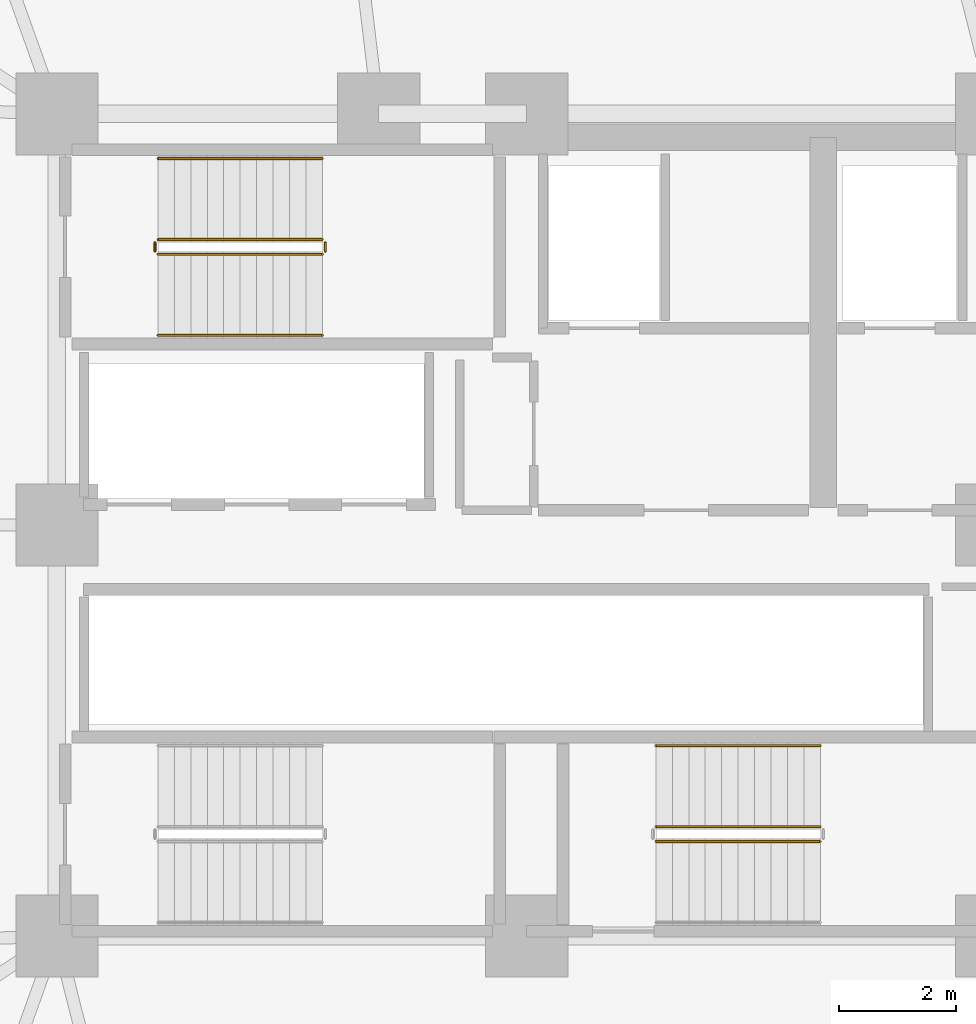
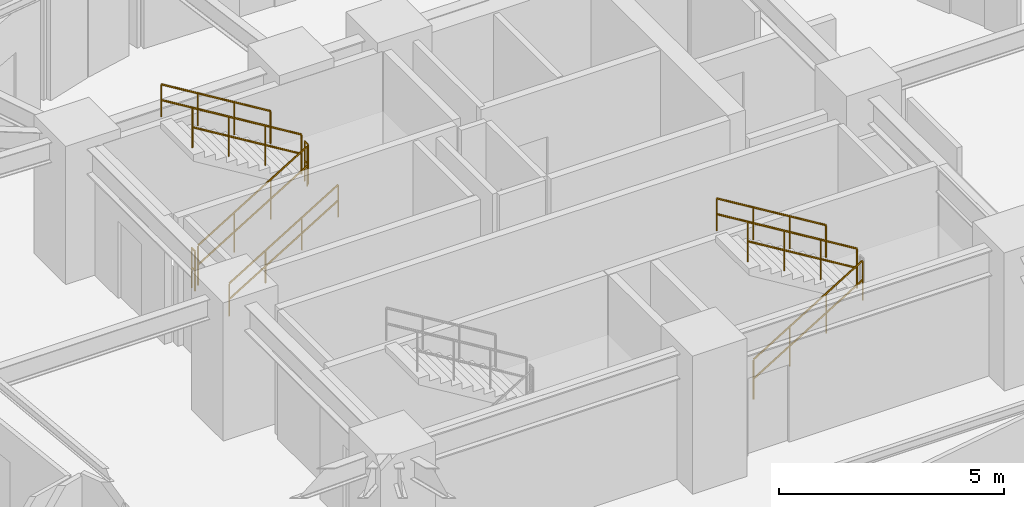
# One storey, part 34 of 36: 9 railings.
"""IFC4 building model written with IfcOpenShell, lengths in metres."""

from ifc_helpers import new_model, si_unit, direction, frame, origin, place, context, subcontext, project, spatial, polyline, outline, extrude, material, type_object, element, save


model = new_model("IFC4")

# Units and contexts
model_context = context("Model", 3, precision=1e-05, world=origin(), true_north=direction((0.0, 1.0)))
body_context = subcontext(model_context, "Body", "Model", "MODEL_VIEW")
ifc_project = project(units=[si_unit("LENGTHUNIT", "METRE"), si_unit("AREAUNIT", "SQUARE_METRE"), si_unit("VOLUMEUNIT", "CUBIC_METRE"), si_unit("PLANEANGLEUNIT", "RADIAN"), si_unit("MASSUNIT", "GRAM", prefix="KILO")], contexts=[model_context])

# Site, building, storey
site_placement = place(None, origin())
site = spatial("IfcSite", under=ifc_project, at=site_placement, CompositionType="ELEMENT")
building_placement = place(site_placement, origin())
building = spatial("IfcBuilding", under=site, at=building_placement, Name="Kelanora Arch Commons", CompositionType="ELEMENT")
storey_placement = place(building_placement, frame((0.0, 0.0, 98.85009765625)))
storey = spatial("IfcBuildingStorey", under=building, at=storey_placement, Name="L25", CompositionType="ELEMENT", Elevation=98.85009765625)

# Railings
ifc_material_1 = material(Name="Painted steel stair well guard", Category="steel")
railing_type_1 = type_object("IfcRailingType", Name="RAIL-STAIR-GRD", PredefinedType="GUARDRAIL", material=ifc_material_1)
railing_1_placement = place(storey_placement, frame((67.719970703125, 62.610107421875, 0.17041015625)))
element("IfcRailing", 1, at=railing_1_placement, inside=storey, type_object=railing_type_1, Name="L25 ST-T1 stair guard 1", PredefinedType="GUARDRAIL", context=body_context, shape_type="SweptSolid", body=[
    extrude(outline(polyline([(0.02392578125, 0.0), (0.011962890625, 0.020751953125), (-0.011962890625, 0.020751953125), (-0.02392578125, 0.0), (-0.011962890625, -0.020751953125), (0.011962890625, -0.020751953125), (0.02392578125, 0.0)])), frame((0.0, 0.0, 1.076171875), z_axis=(0.854169791009, 0.0, 0.51999420009), x_axis=(0.0, 1.0, 0.0)), (0.0, 0.0, 1.0), 3.278076171875),
    extrude(outline(polyline([(0.02392578125, 0.0), (0.011962890625, 0.020751953125), (-0.011962890625, 0.020751953125), (-0.02392578125, 0.0), (-0.011962890625, -0.020751953125), (0.011962890625, -0.020751953125), (0.02392578125, 0.0)])), frame((0.0, 0.0, 0.550048828125), z_axis=(0.854169791009, 0.0, 0.51999420009), x_axis=(0.0, 1.0, 0.0)), (0.0, 0.0, 1.0), 3.278076171875),
    extrude(outline(polyline([(0.02099609375, 0.0), (0.010498046875, 0.01806640625), (-0.010498046875, 0.01806640625), (-0.02099609375, 0.0), (-0.010498046875, -0.01806640625), (0.010498046875, -0.01806640625), (0.02099609375, 0.0)])), origin(), (0.0, 0.0, 1.0), 1.052001953125),
    extrude(outline(polyline([(0.02099609375, 0.0), (0.010498046875, 0.01806640625), (-0.010498046875, 0.01806640625), (-0.02099609375, 0.0), (-0.010498046875, -0.01806640625), (0.010498046875, -0.01806640625), (0.02099609375, 0.0)])), frame((0.933349609375, 0.0, 0.568115234375)), (0.0, 0.0, 1.0), 1.052001953125),
    extrude(outline(polyline([(0.02099609375, 0.0), (0.010498046875, 0.01806640625), (-0.010498046875, 0.01806640625), (-0.02099609375, 0.0), (-0.010498046875, -0.01806640625), (0.010498046875, -0.01806640625), (0.02099609375, 0.0)])), frame((1.86669921875, 0.0, 1.136474609375)), (0.0, 0.0, 1.0), 1.052001953125),
    extrude(outline(polyline([(0.02099609375, 0.0), (0.010498046875, 0.01806640625), (-0.010498046875, 0.01806640625), (-0.02099609375, 0.0), (-0.010498046875, -0.01806640625), (0.010498046875, -0.01806640625), (0.02099609375, 0.0)])), frame((2.800048828125, 0.0, 1.70458984375)), (0.0, 0.0, 1.0), 1.052001953125),
])
railing_2_placement = place(storey_placement, frame((70.570068359375, 62.659912109375, 1.875)))
element("IfcRailing", 2, at=railing_2_placement, inside=storey, type_object=railing_type_1, Name="L25 ST-T1 stair guard 2", PredefinedType="GUARDRAIL", context=body_context, shape_type="SweptSolid", body=[
    extrude(outline(polyline([(0.02392578125, 0.0), (0.011962890625, 0.020751953125), (-0.011962890625, 0.020751953125), (-0.02392578125, 0.0), (-0.011962890625, -0.020751953125), (0.011962890625, -0.020751953125), (0.02392578125, 0.0)])), frame((0.0, 0.0, 1.076171875), z_axis=(0.0, 1.0, 0.0), x_axis=(-1.0, 0.0, 0.0)), (0.0, 0.0, 1.0), 0.150146484375),
    extrude(outline(polyline([(0.02392578125, 0.0), (0.011962890625, 0.020751953125), (-0.011962890625, 0.020751953125), (-0.02392578125, 0.0), (-0.011962890625, -0.020751953125), (0.011962890625, -0.020751953125), (0.02392578125, 0.0)])), frame((0.0, 0.0, 0.550048828125), z_axis=(0.0, 1.0, 0.0), x_axis=(-1.0, 0.0, 0.0)), (0.0, 0.0, 1.0), 0.150146484375),
    extrude(outline(polyline([(0.02099609375, 0.0), (0.010498046875, 0.01806640625), (-0.010498046875, 0.01806640625), (-0.02099609375, 0.0), (-0.010498046875, -0.01806640625), (0.010498046875, -0.01806640625), (0.02099609375, 0.0)])), origin(), (0.0, 0.0, 1.0), 1.052001953125),
    extrude(outline(polyline([(0.02099609375, 0.0), (0.010498046875, 0.01806640625), (-0.010498046875, 0.01806640625), (-0.02099609375, 0.0), (-0.010498046875, -0.01806640625), (0.010498046875, -0.01806640625), (0.02099609375, 0.0)])), frame((0.0, 0.150146484375, 0.0)), (0.0, 0.0, 1.0), 1.052001953125),
])
railing_3_placement = place(storey_placement, frame((70.52001953125, 62.860107421875, 2.04541015625)))
element("IfcRailing", 3, at=railing_3_placement, inside=storey, type_object=railing_type_1, Name="L25 ST-T1 stair guard 3", PredefinedType="GUARDRAIL", context=body_context, shape_type="SweptSolid", body=[
    extrude(outline(polyline([(0.02392578125, 0.0), (0.011962890625, 0.020751953125), (-0.011962890625, 0.020751953125), (-0.02392578125, 0.0), (-0.011962890625, -0.020751953125), (0.011962890625, -0.020751953125), (0.02392578125, 0.0)])), frame((0.0, 0.0, 1.076171875), z_axis=(-0.854169791009, 0.0, 0.51999420009), x_axis=(0.0, -1.0, 0.0)), (0.0, 0.0, 1.0), 3.278076171875),
    extrude(outline(polyline([(0.02392578125, 0.0), (0.011962890625, 0.020751953125), (-0.011962890625, 0.020751953125), (-0.02392578125, 0.0), (-0.011962890625, -0.020751953125), (0.011962890625, -0.020751953125), (0.02392578125, 0.0)])), frame((0.0, 0.0, 0.550048828125), z_axis=(-0.854169791009, 0.0, 0.51999420009), x_axis=(0.0, -1.0, 0.0)), (0.0, 0.0, 1.0), 3.278076171875),
    extrude(outline(polyline([(0.02099609375, 0.0), (0.010498046875, 0.01806640625), (-0.010498046875, 0.01806640625), (-0.02099609375, 0.0), (-0.010498046875, -0.01806640625), (0.010498046875, -0.01806640625), (0.02099609375, 0.0)])), origin(), (0.0, 0.0, 1.0), 1.052001953125),
    extrude(outline(polyline([(0.02099609375, 0.0), (0.010498046875, 0.01806640625), (-0.010498046875, 0.01806640625), (-0.02099609375, 0.0), (-0.010498046875, -0.01806640625), (0.010498046875, -0.01806640625), (0.02099609375, 0.0)])), frame((-0.933349609375, 0.0, 0.568115234375)), (0.0, 0.0, 1.0), 1.052001953125),
    extrude(outline(polyline([(0.02099609375, 0.0), (0.010498046875, 0.01806640625), (-0.010498046875, 0.01806640625), (-0.02099609375, 0.0), (-0.010498046875, -0.01806640625), (0.010498046875, -0.01806640625), (0.02099609375, 0.0)])), frame((-1.86669921875, 0.0, 1.136474609375)), (0.0, 0.0, 1.0), 1.052001953125),
    extrude(outline(polyline([(0.02099609375, 0.0), (0.010498046875, 0.01806640625), (-0.010498046875, 0.01806640625), (-0.02099609375, 0.0), (-0.010498046875, -0.01806640625), (0.010498046875, -0.01806640625), (0.02099609375, 0.0)])), frame((-2.800048828125, 0.0, 1.70458984375)), (0.0, 0.0, 1.0), 1.052001953125),
])
railing_4_placement = place(storey_placement, frame((67.669921875, 62.659912109375, 0.0)))
element("IfcRailing", 4, at=railing_4_placement, inside=storey, type_object=railing_type_1, Name="L25 ST-T1 stair guard 4", PredefinedType="GUARDRAIL", context=body_context, shape_type="SweptSolid", body=[
    extrude(outline(polyline([(0.02392578125, 0.0), (0.011962890625, 0.020751953125), (-0.011962890625, 0.020751953125), (-0.02392578125, 0.0), (-0.011962890625, -0.020751953125), (0.011962890625, -0.020751953125), (0.02392578125, 0.0)])), frame((0.0, 0.0, 1.076171875), z_axis=(0.0, 1.0, 0.0), x_axis=(-1.0, 0.0, 0.0)), (0.0, 0.0, 1.0), 0.150146484375),
    extrude(outline(polyline([(0.02392578125, 0.0), (0.011962890625, 0.020751953125), (-0.011962890625, 0.020751953125), (-0.02392578125, 0.0), (-0.011962890625, -0.020751953125), (0.011962890625, -0.020751953125), (0.02392578125, 0.0)])), frame((0.0, 0.0, 0.550048828125), z_axis=(0.0, 1.0, 0.0), x_axis=(-1.0, 0.0, 0.0)), (0.0, 0.0, 1.0), 0.150146484375),
    extrude(outline(polyline([(0.02099609375, 0.0), (0.010498046875, 0.01806640625), (-0.010498046875, 0.01806640625), (-0.02099609375, 0.0), (-0.010498046875, -0.01806640625), (0.010498046875, -0.01806640625), (0.02099609375, 0.0)])), origin(), (0.0, 0.0, 1.0), 1.052001953125),
    extrude(outline(polyline([(0.02099609375, 0.0), (0.010498046875, 0.01806640625), (-0.010498046875, 0.01806640625), (-0.02099609375, 0.0), (-0.010498046875, -0.01806640625), (0.010498046875, -0.01806640625), (0.02099609375, 0.0)])), frame((0.0, 0.150146484375, 0.0)), (0.0, 0.0, 1.0), 1.052001953125),
])
railing_5_placement = place(storey_placement, frame((76.199951171875, 52.610107421875, 0.17041015625)))
element("IfcRailing", 5, at=railing_5_placement, inside=storey, type_object=railing_type_1, Name="L25 ST-T2 stair guard 1", PredefinedType="GUARDRAIL", context=body_context, shape_type="SweptSolid", body=[
    extrude(outline(polyline([(0.02392578125, 0.0), (0.011962890625, 0.020751953125), (-0.011962890625, 0.020751953125), (-0.02392578125, 0.0), (-0.011962890625, -0.020751953125), (0.011962890625, -0.020751953125), (0.02392578125, 0.0)])), frame((0.0, 0.0, 1.076171875), z_axis=(0.854169791009, 0.0, 0.51999420009), x_axis=(0.0, 1.0, 0.0)), (0.0, 0.0, 1.0), 3.278076171875),
    extrude(outline(polyline([(0.02392578125, 0.0), (0.011962890625, 0.020751953125), (-0.011962890625, 0.020751953125), (-0.02392578125, 0.0), (-0.011962890625, -0.020751953125), (0.011962890625, -0.020751953125), (0.02392578125, 0.0)])), frame((0.0, 0.0, 0.550048828125), z_axis=(0.854169791009, 0.0, 0.51999420009), x_axis=(0.0, 1.0, 0.0)), (0.0, 0.0, 1.0), 3.278076171875),
    extrude(outline(polyline([(0.02099609375, 0.0), (0.010498046875, 0.01806640625), (-0.010498046875, 0.01806640625), (-0.02099609375, 0.0), (-0.010498046875, -0.01806640625), (0.010498046875, -0.01806640625), (0.02099609375, 0.0)])), origin(), (0.0, 0.0, 1.0), 1.052001953125),
    extrude(outline(polyline([(0.02099609375, 0.0), (0.010498046875, 0.01806640625), (-0.010498046875, 0.01806640625), (-0.02099609375, 0.0), (-0.010498046875, -0.01806640625), (0.010498046875, -0.01806640625), (0.02099609375, 0.0)])), frame((0.933349609375, 0.0, 0.568115234375)), (0.0, 0.0, 1.0), 1.052001953125),
    extrude(outline(polyline([(0.02099609375, 0.0), (0.010498046875, 0.01806640625), (-0.010498046875, 0.01806640625), (-0.02099609375, 0.0), (-0.010498046875, -0.01806640625), (0.010498046875, -0.01806640625), (0.02099609375, 0.0)])), frame((1.86669921875, 0.0, 1.136474609375)), (0.0, 0.0, 1.0), 1.052001953125),
    extrude(outline(polyline([(0.02099609375, 0.0), (0.010498046875, 0.01806640625), (-0.010498046875, 0.01806640625), (-0.02099609375, 0.0), (-0.010498046875, -0.01806640625), (0.010498046875, -0.01806640625), (0.02099609375, 0.0)])), frame((2.800048828125, 0.0, 1.70458984375)), (0.0, 0.0, 1.0), 1.052001953125),
])
railing_6_placement = place(storey_placement, frame((79.0, 52.860107421875, 2.04541015625)))
element("IfcRailing", 6, at=railing_6_placement, inside=storey, type_object=railing_type_1, Name="L25 ST-T2 stair guard 3", PredefinedType="GUARDRAIL", context=body_context, shape_type="SweptSolid", body=[
    extrude(outline(polyline([(0.02392578125, 0.0), (0.011962890625, 0.020751953125), (-0.011962890625, 0.020751953125), (-0.02392578125, 0.0), (-0.011962890625, -0.020751953125), (0.011962890625, -0.020751953125), (0.02392578125, 0.0)])), frame((0.0, 0.0, 1.076171875), z_axis=(-0.854169791009, 0.0, 0.51999420009), x_axis=(0.0, -1.0, 0.0)), (0.0, 0.0, 1.0), 3.278076171875),
    extrude(outline(polyline([(0.02392578125, 0.0), (0.011962890625, 0.020751953125), (-0.011962890625, 0.020751953125), (-0.02392578125, 0.0), (-0.011962890625, -0.020751953125), (0.011962890625, -0.020751953125), (0.02392578125, 0.0)])), frame((0.0, 0.0, 0.550048828125), z_axis=(-0.854169791009, 0.0, 0.51999420009), x_axis=(0.0, -1.0, 0.0)), (0.0, 0.0, 1.0), 3.278076171875),
    extrude(outline(polyline([(0.02099609375, 0.0), (0.010498046875, 0.01806640625), (-0.010498046875, 0.01806640625), (-0.02099609375, 0.0), (-0.010498046875, -0.01806640625), (0.010498046875, -0.01806640625), (0.02099609375, 0.0)])), origin(), (0.0, 0.0, 1.0), 1.052001953125),
    extrude(outline(polyline([(0.02099609375, 0.0), (0.010498046875, 0.01806640625), (-0.010498046875, 0.01806640625), (-0.02099609375, 0.0), (-0.010498046875, -0.01806640625), (0.010498046875, -0.01806640625), (0.02099609375, 0.0)])), frame((-0.933349609375, 0.0, 0.568115234375)), (0.0, 0.0, 1.0), 1.052001953125),
    extrude(outline(polyline([(0.02099609375, 0.0), (0.010498046875, 0.01806640625), (-0.010498046875, 0.01806640625), (-0.02099609375, 0.0), (-0.010498046875, -0.01806640625), (0.010498046875, -0.01806640625), (0.02099609375, 0.0)])), frame((-1.86669921875, 0.0, 1.136474609375)), (0.0, 0.0, 1.0), 1.052001953125),
    extrude(outline(polyline([(0.02099609375, 0.0), (0.010498046875, 0.01806640625), (-0.010498046875, 0.01806640625), (-0.02099609375, 0.0), (-0.010498046875, -0.01806640625), (0.010498046875, -0.01806640625), (0.02099609375, 0.0)])), frame((-2.800048828125, 0.0, 1.70458984375)), (0.0, 0.0, 1.0), 1.052001953125),
])
ifc_material_2 = material(Name="Brushed stainless steel stair handrail", Category="steel")
railing_type_2 = type_object("IfcRailingType", Name="RAIL-STAIR-HND", PredefinedType="HANDRAIL", material=ifc_material_2)
railing_7_placement = place(storey_placement, frame((67.719970703125, 61.22998046875, 0.17041015625)))
element("IfcRailing", 7, at=railing_7_placement, inside=storey, type_object=railing_type_2, Name="L25 ST-T1 stair handrail 1", PredefinedType="HANDRAIL", context=body_context, shape_type="SweptSolid", body=[
    extrude(outline(polyline([(0.02392578125, 0.0), (0.011962890625, 0.020751953125), (-0.011962890625, 0.020751953125), (-0.02392578125, 0.0), (-0.011962890625, -0.020751953125), (0.011962890625, -0.020751953125), (0.02392578125, 0.0)])), frame((0.0, 0.0, 0.8759765625), z_axis=(0.854169791009, 0.0, 0.51999420009), x_axis=(0.0, 1.0, 0.0)), (0.0, 0.0, 1.0), 3.278076171875),
    extrude(outline(polyline([(0.02392578125, 0.0), (0.011962890625, 0.020751953125), (-0.011962890625, 0.020751953125), (-0.02392578125, 0.0), (-0.011962890625, -0.020751953125), (0.011962890625, -0.020751953125), (0.02392578125, 0.0)])), frame((0.0, 0.0, 0.449951171875), z_axis=(0.854169791009, 0.0, 0.51999420009), x_axis=(0.0, 1.0, 0.0)), (0.0, 0.0, 1.0), 3.278076171875),
    extrude(outline(polyline([(0.02099609375, 0.0), (0.010498046875, 0.01806640625), (-0.010498046875, 0.01806640625), (-0.02099609375, 0.0), (-0.010498046875, -0.01806640625), (0.010498046875, -0.01806640625), (0.02099609375, 0.0)])), origin(), (0.0, 0.0, 1.0), 0.851806640625),
    extrude(outline(polyline([(0.02099609375, 0.0), (0.010498046875, 0.01806640625), (-0.010498046875, 0.01806640625), (-0.02099609375, 0.0), (-0.010498046875, -0.01806640625), (0.010498046875, -0.01806640625), (0.02099609375, 0.0)])), frame((0.933349609375, 0.0, 0.568115234375)), (0.0, 0.0, 1.0), 0.851806640625),
    extrude(outline(polyline([(0.02099609375, 0.0), (0.010498046875, 0.01806640625), (-0.010498046875, 0.01806640625), (-0.02099609375, 0.0), (-0.010498046875, -0.01806640625), (0.010498046875, -0.01806640625), (0.02099609375, 0.0)])), frame((1.86669921875, 0.0, 1.136474609375)), (0.0, 0.0, 1.0), 0.851806640625),
    extrude(outline(polyline([(0.02099609375, 0.0), (0.010498046875, 0.01806640625), (-0.010498046875, 0.01806640625), (-0.02099609375, 0.0), (-0.010498046875, -0.01806640625), (0.010498046875, -0.01806640625), (0.02099609375, 0.0)])), frame((2.800048828125, 0.0, 1.70458984375)), (0.0, 0.0, 1.0), 0.851806640625),
])
railing_8_placement = place(storey_placement, frame((70.52001953125, 64.239990234375, 2.04541015625)))
element("IfcRailing", 8, at=railing_8_placement, inside=storey, type_object=railing_type_2, Name="L25 ST-T1 stair handrail 2", PredefinedType="HANDRAIL", context=body_context, shape_type="SweptSolid", body=[
    extrude(outline(polyline([(0.02392578125, 0.0), (0.011962890625, 0.020751953125), (-0.011962890625, 0.020751953125), (-0.02392578125, 0.0), (-0.011962890625, -0.020751953125), (0.011962890625, -0.020751953125), (0.02392578125, 0.0)])), frame((0.0, 0.0, 0.8759765625), z_axis=(-0.854169791009, 0.0, 0.51999420009), x_axis=(0.0, -1.0, 0.0)), (0.0, 0.0, 1.0), 3.278076171875),
    extrude(outline(polyline([(0.02392578125, 0.0), (0.011962890625, 0.020751953125), (-0.011962890625, 0.020751953125), (-0.02392578125, 0.0), (-0.011962890625, -0.020751953125), (0.011962890625, -0.020751953125), (0.02392578125, 0.0)])), frame((0.0, 0.0, 0.449951171875), z_axis=(-0.854169791009, 0.0, 0.51999420009), x_axis=(0.0, -1.0, 0.0)), (0.0, 0.0, 1.0), 3.278076171875),
    extrude(outline(polyline([(0.02099609375, 0.0), (0.010498046875, 0.01806640625), (-0.010498046875, 0.01806640625), (-0.02099609375, 0.0), (-0.010498046875, -0.01806640625), (0.010498046875, -0.01806640625), (0.02099609375, 0.0)])), origin(), (0.0, 0.0, 1.0), 0.851806640625),
    extrude(outline(polyline([(0.02099609375, 0.0), (0.010498046875, 0.01806640625), (-0.010498046875, 0.01806640625), (-0.02099609375, 0.0), (-0.010498046875, -0.01806640625), (0.010498046875, -0.01806640625), (0.02099609375, 0.0)])), frame((-0.933349609375, 0.0, 0.568115234375)), (0.0, 0.0, 1.0), 0.851806640625),
    extrude(outline(polyline([(0.02099609375, 0.0), (0.010498046875, 0.01806640625), (-0.010498046875, 0.01806640625), (-0.02099609375, 0.0), (-0.010498046875, -0.01806640625), (0.010498046875, -0.01806640625), (0.02099609375, 0.0)])), frame((-1.86669921875, 0.0, 1.136474609375)), (0.0, 0.0, 1.0), 0.851806640625),
    extrude(outline(polyline([(0.02099609375, 0.0), (0.010498046875, 0.01806640625), (-0.010498046875, 0.01806640625), (-0.02099609375, 0.0), (-0.010498046875, -0.01806640625), (0.010498046875, -0.01806640625), (0.02099609375, 0.0)])), frame((-2.800048828125, 0.0, 1.70458984375)), (0.0, 0.0, 1.0), 0.851806640625),
])
railing_9_placement = place(storey_placement, frame((79.0, 54.239990234375, 2.04541015625)))
element("IfcRailing", 9, at=railing_9_placement, inside=storey, type_object=railing_type_2, Name="L25 ST-T2 stair handrail 2", PredefinedType="HANDRAIL", context=body_context, shape_type="SweptSolid", body=[
    extrude(outline(polyline([(0.02392578125, 0.0), (0.011962890625, 0.020751953125), (-0.011962890625, 0.020751953125), (-0.02392578125, 0.0), (-0.011962890625, -0.020751953125), (0.011962890625, -0.020751953125), (0.02392578125, 0.0)])), frame((0.0, 0.0, 0.8759765625), z_axis=(-0.854169791009, 0.0, 0.51999420009), x_axis=(0.0, -1.0, 0.0)), (0.0, 0.0, 1.0), 3.278076171875),
    extrude(outline(polyline([(0.02392578125, 0.0), (0.011962890625, 0.020751953125), (-0.011962890625, 0.020751953125), (-0.02392578125, 0.0), (-0.011962890625, -0.020751953125), (0.011962890625, -0.020751953125), (0.02392578125, 0.0)])), frame((0.0, 0.0, 0.449951171875), z_axis=(-0.854169791009, 0.0, 0.51999420009), x_axis=(0.0, -1.0, 0.0)), (0.0, 0.0, 1.0), 3.278076171875),
    extrude(outline(polyline([(0.02099609375, 0.0), (0.010498046875, 0.01806640625), (-0.010498046875, 0.01806640625), (-0.02099609375, 0.0), (-0.010498046875, -0.01806640625), (0.010498046875, -0.01806640625), (0.02099609375, 0.0)])), origin(), (0.0, 0.0, 1.0), 0.851806640625),
    extrude(outline(polyline([(0.02099609375, 0.0), (0.010498046875, 0.01806640625), (-0.010498046875, 0.01806640625), (-0.02099609375, 0.0), (-0.010498046875, -0.01806640625), (0.010498046875, -0.01806640625), (0.02099609375, 0.0)])), frame((-0.933349609375, 0.0, 0.568115234375)), (0.0, 0.0, 1.0), 0.851806640625),
    extrude(outline(polyline([(0.02099609375, 0.0), (0.010498046875, 0.01806640625), (-0.010498046875, 0.01806640625), (-0.02099609375, 0.0), (-0.010498046875, -0.01806640625), (0.010498046875, -0.01806640625), (0.02099609375, 0.0)])), frame((-1.86669921875, 0.0, 1.136474609375)), (0.0, 0.0, 1.0), 0.851806640625),
    extrude(outline(polyline([(0.02099609375, 0.0), (0.010498046875, 0.01806640625), (-0.010498046875, 0.01806640625), (-0.02099609375, 0.0), (-0.010498046875, -0.01806640625), (0.010498046875, -0.01806640625), (0.02099609375, 0.0)])), frame((-2.800048828125, 0.0, 1.70458984375)), (0.0, 0.0, 1.0), 0.851806640625),
])

save(model, "model.ifc")
